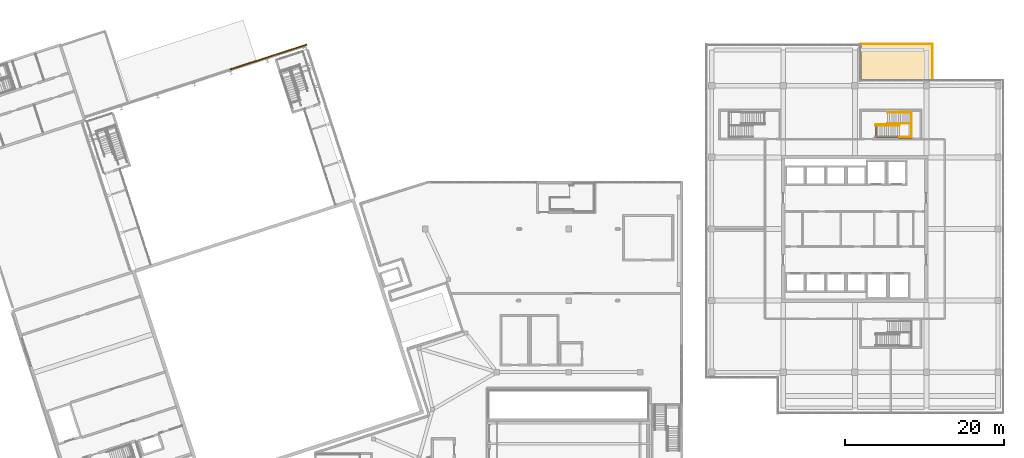
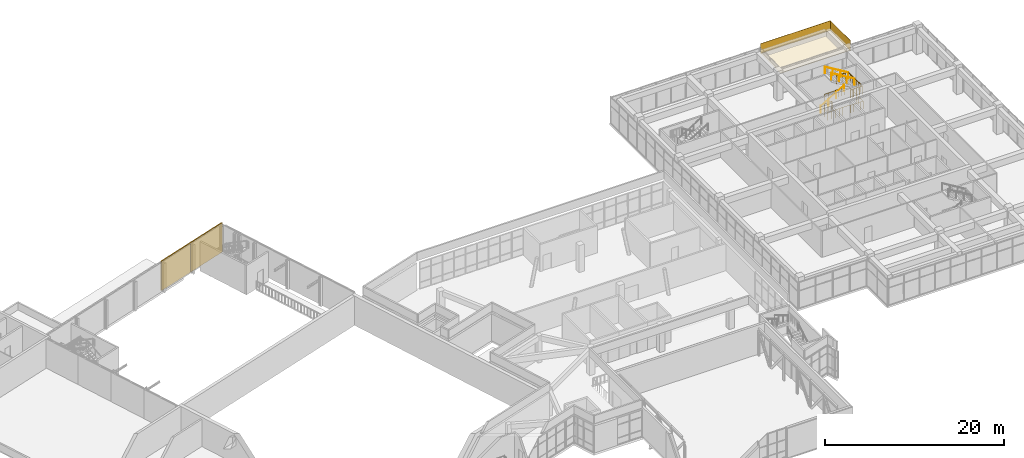
# One storey, part 72 of 72: 8 railings, 4 coverings.
"""IFC4 building model written with IfcOpenShell, lengths in metres."""

from ifc_helpers import new_model, si_unit, direction, frame, origin, origin_2d, place, context, subcontext, project, spatial, polyline, circle, outline, extrude, material, layer, layer_set, type_object, element, save


model = new_model("IFC4")

# Units and contexts
model_context = context("Model", 3, precision=1e-05, world=origin(), true_north=direction((0.0, 1.0)))
body_context = subcontext(model_context, "Body", "Model", "MODEL_VIEW")
ifc_project = project(units=[si_unit("LENGTHUNIT", "METRE"), si_unit("AREAUNIT", "SQUARE_METRE"), si_unit("VOLUMEUNIT", "CUBIC_METRE"), si_unit("PLANEANGLEUNIT", "RADIAN"), si_unit("MASSUNIT", "GRAM", prefix="KILO")], contexts=[model_context])

# Site, building, storey
site_placement = place(None, origin())
site = spatial("IfcSite", under=ifc_project, at=site_placement, CompositionType="ELEMENT")
building_placement = place(site_placement, origin())
building = spatial("IfcBuilding", under=site, at=building_placement, Name="Tuart Plaza Theatre", CompositionType="ELEMENT")
storey_placement = place(building_placement, frame((0.0, 0.0, 13.5)))
storey = spatial("IfcBuildingStorey", under=building, at=storey_placement, Name="L03", CompositionType="ELEMENT", Elevation=13.5)

# Coverings
ifc_material_1 = material(Name="Zinc")
ifc_layer_1 = layer(ifc_material_1, 0.02490234375)
ifc_layer_set_1 = layer_set([ifc_layer_1], Name="COVERING-ZINC-FASCIA25")
covering_type_1 = type_object("IfcCoveringType", Name="COVERING-ZINC-FASCIA25", PredefinedType="CLADDING", material=ifc_layer_set_1)
covering_1_placement = place(storey_placement, frame((0.0, 0.0, 2.655029296875)))
element("IfcCovering", 1, at=covering_1_placement, inside=storey, type_object=covering_type_1, Name="CL89", PredefinedType="CLADDING", context=body_context, shape_type="SweptSolid", body=[
    extrude(outline(polyline([(132.72509765625, 97.27490234375), (141.77490234375, 97.27490234375), (141.77490234375, 92.750244140625), (141.75, 92.750244140625), (141.75, 97.25), (132.750244140625, 97.25), (132.750244140625, 97.25), (132.750244140625, 97.25), (132.750244140625, 97.25), (132.75, 97.25), (132.75, 97.250244140625), (132.75, 97.250244140625), (132.75, 97.250244140625), (132.75, 97.250244140625), (132.72509765625, 97.250244140625), (132.72509765625, 97.27490234375)])), origin(), (0.0, 0.0, 1.0), 1.344970703125),
])
ifc_material_2 = material(Name="Zinc")
ifc_layer_2 = layer(ifc_material_2, 0.14990234375)
ifc_layer_set_2 = layer_set([ifc_layer_2], Name="COVERING-ZINC-RAINSCREEN150")
covering_type_2 = type_object("IfcCoveringType", Name="COVERING-ZINC-RAINSCREEN150", PredefinedType="CLADDING", material=ifc_layer_set_2)
covering_2_placement = place(storey_placement, origin())
element("IfcCovering", 2, at=covering_2_placement, inside=storey, type_object=covering_type_2, Name="CL20", PredefinedType="CLADDING", context=body_context, shape_type="SweptSolid", body=[
    extrude(outline(polyline([(53.404541015625, 94.117919921875), (57.982421875, 95.605224609375), (58.02880859375, 95.462646484375), (53.450927734375, 93.975341796875), (53.404541015625, 94.117919921875)])), origin(), (0.0, 0.0, 1.0), 4.0),
])
covering_3_placement = place(storey_placement, origin())
element("IfcCovering", 3, at=covering_3_placement, inside=storey, type_object=covering_type_2, Name="CL21", PredefinedType="CLADDING", context=body_context, shape_type="SweptSolid", body=[
    extrude(outline(polyline([(58.00146484375, 95.611572265625), (63.07861328125, 97.260986328125), (63.124755859375, 97.118408203125), (58.0478515625, 95.46875), (58.00146484375, 95.611572265625)])), origin(), (0.0, 0.0, 1.0), 4.0),
])
ifc_material_3 = material(Name="Zinc")
ifc_layer_3 = layer(ifc_material_3, 0.02490234375)
ifc_layer_set_3 = layer_set([ifc_layer_3], Name="COVERING-ZINC-SOFFIT25")
covering_type_3 = type_object("IfcCoveringType", Name="COVERING-ZINC-SOFFIT25", PredefinedType="CLADDING", material=ifc_layer_set_3)
covering_4_placement = place(storey_placement, frame((0.0, 0.0, 2.655029296875)))
element("IfcCovering", 4, at=covering_4_placement, inside=storey, type_object=covering_type_3, Name="CL88", PredefinedType="CLADDING", context=body_context, shape_type="SweptSolid", body=[
    extrude(outline(polyline([(141.75, 97.25), (141.75, 92.75), (132.75, 92.75), (132.75, 97.25), (141.75, 97.25)])), origin(), (0.0, 0.0, 1.0), 0.02490234375),
])

# Railings
ifc_material_4 = material(Name="Steel Grade C350L0", Category="steel")
railing_type_1 = type_object("IfcRailingType", Name="RAILING Guard 1100", PredefinedType="GUARDRAIL", material=ifc_material_4)
railing_1_placement = place(storey_placement, frame((134.655029296875, 87.125, 0.0)))
element("IfcRailing", 5, at=railing_1_placement, inside=storey, type_object=railing_type_1, Name="GR288", PredefinedType="GUARDRAIL", context=body_context, shape_type="SweptSolid", body=[
    extrude(circle(Radius=0.02490234375, at=origin_2d()), frame((0.0, 0.0, 1.0751953125), z_axis=(1.0, 0.0, 0.0), x_axis=(0.0, 1.0, 0.0)), (0.0, 0.0, 1.0), 1.455078125),
    extrude(circle(Radius=0.02001953125, at=origin_2d()), origin(), (0.0, 0.0, 1.0), 1.050048828125),
    extrude(circle(Radius=0.02001953125, at=origin_2d()), frame((0.485107421875, 0.0, 0.0)), (0.0, 0.0, 1.0), 1.050048828125),
    extrude(circle(Radius=0.02001953125, at=origin_2d()), frame((0.969970703125, 0.0, 0.0)), (0.0, 0.0, 1.0), 1.050048828125),
    extrude(circle(Radius=0.02001953125, at=origin_2d()), frame((1.455078125, 0.0, 0.0)), (0.0, 0.0, 1.0), 1.050048828125),
])
railing_2_placement = place(storey_placement, frame((136.114990234375, 88.705078125, 0.0)))
element("IfcRailing", 6, at=railing_2_placement, inside=storey, type_object=railing_type_1, Name="GR289", PredefinedType="GUARDRAIL", context=body_context, shape_type="SweptSolid", body=[
    extrude(circle(Radius=0.02490234375, at=origin_2d()), frame((0.0, 0.0, 1.0751953125), z_axis=(0.0, 1.0, 0.0), x_axis=(-1.0, 0.0, 0.0)), (0.0, 0.0, 1.0), 0.044921875),
    extrude(circle(Radius=0.02490234375, at=origin_2d()), frame((0.0, 0.044921875, 1.0751953125), z_axis=(1.0, 0.0, 0.0), x_axis=(0.0, 1.0, 0.0)), (0.0, 0.0, 1.0), 1.43505859375),
    extrude(circle(Radius=0.02490234375, at=origin_2d()), frame((1.43505859375, 0.044921875, 1.0751953125), z_axis=(0.0, 1.0, 0.0), x_axis=(-1.0, 0.0, 0.0)), (0.0, 0.0, 1.0), 0.074951171875),
    extrude(circle(Radius=0.02490234375, at=origin_2d()), frame((1.43505859375, 0.119873046875, 1.0751953125), z_axis=(1.0, 0.0, 0.0), x_axis=(0.0, 1.0, 0.0)), (0.0, 0.0, 1.0), 1.6298828125),
    extrude(circle(Radius=0.02490234375, at=origin_2d()), frame((3.06494140625, 0.119873046875, 1.0751953125), z_axis=(0.0, -1.0, 0.0), x_axis=(1.0, 0.0, 0.0)), (0.0, 0.0, 1.0), 3.39990234375),
    extrude(circle(Radius=0.02490234375, at=origin_2d()), frame((3.06494140625, -3.280029296875, 1.0751953125), z_axis=(-1.0, 0.0, 0.0), x_axis=(0.0, -1.0, 0.0)), (0.0, 0.0, 1.0), 1.6298828125),
    extrude(circle(Radius=0.02490234375, at=origin_2d()), frame((1.43505859375, -3.280029296875, 1.0751953125), z_axis=(0.0, 1.0, 0.0), x_axis=(-1.0, 0.0, 0.0)), (0.0, 0.0, 1.0), 0.074951171875),
    extrude(circle(Radius=0.02490234375, at=origin_2d()), frame((1.43505859375, -3.205078125, 1.0751953125), z_axis=(-1.0, 0.0, 0.0), x_axis=(0.0, -1.0, 0.0)), (0.0, 0.0, 1.0), 2.89501953125),
    extrude(circle(Radius=0.02490234375, at=origin_2d()), frame((-1.4599609375, -3.205078125, 1.0751953125), z_axis=(0.0, 1.0, 0.0), x_axis=(-1.0, 0.0, 0.0)), (0.0, 0.0, 1.0), 1.625),
    extrude(circle(Radius=0.02001953125, at=origin_2d()), origin(), (0.0, 0.0, 1.0), 1.050048828125),
    extrude(circle(Radius=0.02001953125, at=origin_2d()), frame((0.0, 0.044921875, 0.0)), (0.0, 0.0, 1.0), 1.050048828125),
    extrude(circle(Radius=0.02001953125, at=origin_2d()), frame((0.478271484375, 0.044921875, 0.0)), (0.0, 0.0, 1.0), 1.050048828125),
    extrude(circle(Radius=0.02001953125, at=origin_2d()), frame((0.956787109375, 0.044921875, 0.0)), (0.0, 0.0, 1.0), 1.050048828125),
    extrude(circle(Radius=0.02001953125, at=origin_2d()), frame((1.43505859375, 0.044921875, 0.0)), (0.0, 0.0, 1.0), 1.050048828125),
    extrude(circle(Radius=0.02001953125, at=origin_2d()), frame((1.43505859375, 0.119873046875, 0.0)), (0.0, 0.0, 1.0), 1.050048828125),
    extrude(circle(Radius=0.02001953125, at=origin_2d()), frame((1.842529296875, 0.119873046875, 0.0)), (0.0, 0.0, 1.0), 1.050048828125),
    extrude(circle(Radius=0.02001953125, at=origin_2d()), frame((2.25, 0.119873046875, 0.0)), (0.0, 0.0, 1.0), 1.050048828125),
    extrude(circle(Radius=0.02001953125, at=origin_2d()), frame((2.657470703125, 0.119873046875, 0.0)), (0.0, 0.0, 1.0), 1.050048828125),
    extrude(circle(Radius=0.02001953125, at=origin_2d()), frame((3.06494140625, 0.119873046875, 0.0)), (0.0, 0.0, 1.0), 1.050048828125),
    extrude(circle(Radius=0.02001953125, at=origin_2d()), frame((3.06494140625, -0.36572265625, 0.0)), (0.0, 0.0, 1.0), 1.050048828125),
    extrude(circle(Radius=0.02001953125, at=origin_2d()), frame((3.06494140625, -0.8515625, 0.0)), (0.0, 0.0, 1.0), 1.050048828125),
    extrude(circle(Radius=0.02001953125, at=origin_2d()), frame((3.06494140625, -1.337158203125, 0.0)), (0.0, 0.0, 1.0), 1.050048828125),
    extrude(circle(Radius=0.02001953125, at=origin_2d()), frame((3.06494140625, -1.822998046875, 0.0)), (0.0, 0.0, 1.0), 1.050048828125),
    extrude(circle(Radius=0.02001953125, at=origin_2d()), frame((3.06494140625, -2.30859375, 0.0)), (0.0, 0.0, 1.0), 1.050048828125),
    extrude(circle(Radius=0.02001953125, at=origin_2d()), frame((3.06494140625, -2.79443359375, 0.0)), (0.0, 0.0, 1.0), 1.050048828125),
    extrude(circle(Radius=0.02001953125, at=origin_2d()), frame((3.06494140625, -3.280029296875, 0.0)), (0.0, 0.0, 1.0), 1.050048828125),
    extrude(circle(Radius=0.02001953125, at=origin_2d()), frame((2.657470703125, -3.280029296875, 0.0)), (0.0, 0.0, 1.0), 1.050048828125),
    extrude(circle(Radius=0.02001953125, at=origin_2d()), frame((2.25, -3.280029296875, 0.0)), (0.0, 0.0, 1.0), 1.050048828125),
    extrude(circle(Radius=0.02001953125, at=origin_2d()), frame((1.842529296875, -3.280029296875, 0.0)), (0.0, 0.0, 1.0), 1.050048828125),
    extrude(circle(Radius=0.02001953125, at=origin_2d()), frame((1.43505859375, -3.280029296875, 0.0)), (0.0, 0.0, 1.0), 1.050048828125),
    extrude(circle(Radius=0.02001953125, at=origin_2d()), frame((1.43505859375, -3.205078125, 0.0)), (0.0, 0.0, 1.0), 1.050048828125),
    extrude(circle(Radius=0.02001953125, at=origin_2d()), frame((0.95263671875, -3.205078125, 0.0)), (0.0, 0.0, 1.0), 1.050048828125),
    extrude(circle(Radius=0.02001953125, at=origin_2d()), frame((0.469970703125, -3.205078125, 0.0)), (0.0, 0.0, 1.0), 1.050048828125),
    extrude(circle(Radius=0.02001953125, at=origin_2d()), frame((-0.012451171875, -3.205078125, 0.0)), (0.0, 0.0, 1.0), 1.050048828125),
    extrude(circle(Radius=0.02001953125, at=origin_2d()), frame((-0.494873046875, -3.205078125, 0.0)), (0.0, 0.0, 1.0), 1.050048828125),
    extrude(circle(Radius=0.02001953125, at=origin_2d()), frame((-0.9775390625, -3.205078125, 0.0)), (0.0, 0.0, 1.0), 1.050048828125),
    extrude(circle(Radius=0.02001953125, at=origin_2d()), frame((-1.4599609375, -3.205078125, 0.0)), (0.0, 0.0, 1.0), 1.050048828125),
    extrude(circle(Radius=0.02001953125, at=origin_2d()), frame((-1.4599609375, -2.798828125, 0.0)), (0.0, 0.0, 1.0), 1.050048828125),
    extrude(circle(Radius=0.02001953125, at=origin_2d()), frame((-1.4599609375, -2.392578125, 0.0)), (0.0, 0.0, 1.0), 1.050048828125),
    extrude(circle(Radius=0.02001953125, at=origin_2d()), frame((-1.4599609375, -1.986328125, 0.0)), (0.0, 0.0, 1.0), 1.050048828125),
    extrude(circle(Radius=0.02001953125, at=origin_2d()), frame((-1.4599609375, -1.580078125, 0.0)), (0.0, 0.0, 1.0), 1.050048828125),
])
railing_3_placement = place(storey_placement, frame((137.60009765625, 85.550048828125, 2.0)))
element("IfcRailing", 7, at=railing_3_placement, inside=storey, type_object=railing_type_1, Name="GR295", PredefinedType="GUARDRAIL", context=body_context, shape_type="SweptSolid", body=[
    extrude(circle(Radius=0.02490234375, at=origin_2d()), frame((0.0, 0.0, 1.0751953125), z_axis=(1.0, 0.0, 0.0), x_axis=(0.0, 1.0, 0.0)), (0.0, 0.0, 1.0), 1.52978515625),
    extrude(circle(Radius=0.02001953125, at=origin_2d()), origin(), (0.0, 0.0, 1.0), 1.050048828125),
    extrude(circle(Radius=0.02001953125, at=origin_2d()), frame((0.38232421875, 0.0, 0.0)), (0.0, 0.0, 1.0), 1.050048828125),
    extrude(circle(Radius=0.02001953125, at=origin_2d()), frame((0.764892578125, 0.0, 0.0)), (0.0, 0.0, 1.0), 1.050048828125),
    extrude(circle(Radius=0.02001953125, at=origin_2d()), frame((1.1474609375, 0.0, 0.0)), (0.0, 0.0, 1.0), 1.050048828125),
    extrude(circle(Radius=0.02001953125, at=origin_2d()), frame((1.52978515625, 0.0, 0.0)), (0.0, 0.0, 1.0), 1.050048828125),
])
railing_4_placement = place(storey_placement, frame((139.1298828125, 85.550048828125, 2.0)))
element("IfcRailing", 8, at=railing_4_placement, inside=storey, type_object=railing_type_1, Name="GR296", PredefinedType="GUARDRAIL", context=body_context, shape_type="SweptSolid", body=[
    extrude(circle(Radius=0.02490234375, at=origin_2d()), frame((0.0, 0.0, 1.0751953125), z_axis=(0.0, 1.0, 0.0), x_axis=(-1.0, 0.0, 0.0)), (0.0, 0.0, 1.0), 3.14990234375),
    extrude(circle(Radius=0.02001953125, at=origin_2d()), origin(), (0.0, 0.0, 1.0), 1.050048828125),
    extrude(circle(Radius=0.02001953125, at=origin_2d()), frame((0.0, 0.449951171875, 0.0)), (0.0, 0.0, 1.0), 1.050048828125),
    extrude(circle(Radius=0.02001953125, at=origin_2d()), frame((0.0, 0.89990234375, 0.0)), (0.0, 0.0, 1.0), 1.050048828125),
    extrude(circle(Radius=0.02001953125, at=origin_2d()), frame((0.0, 1.349853515625, 0.0)), (0.0, 0.0, 1.0), 1.050048828125),
    extrude(circle(Radius=0.02001953125, at=origin_2d()), frame((0.0, 1.800048828125, 0.0)), (0.0, 0.0, 1.0), 1.050048828125),
    extrude(circle(Radius=0.02001953125, at=origin_2d()), frame((0.0, 2.25, 0.0)), (0.0, 0.0, 1.0), 1.050048828125),
    extrude(circle(Radius=0.02001953125, at=origin_2d()), frame((0.0, 2.699951171875, 0.0)), (0.0, 0.0, 1.0), 1.050048828125),
    extrude(circle(Radius=0.02001953125, at=origin_2d()), frame((0.0, 3.14990234375, 0.0)), (0.0, 0.0, 1.0), 1.050048828125),
])
railing_5_placement = place(storey_placement, frame((139.1298828125, 88.699951171875, 2.0)))
element("IfcRailing", 9, at=railing_5_placement, inside=storey, type_object=railing_type_1, Name="GR297", PredefinedType="GUARDRAIL", context=body_context, shape_type="SweptSolid", body=[
    extrude(circle(Radius=0.02490234375, at=origin_2d()), frame((0.0, 0.0, 1.0751953125), z_axis=(-1.0, 0.0, 0.0), x_axis=(0.0, -1.0, 0.0)), (0.0, 0.0, 1.0), 1.52978515625),
    extrude(circle(Radius=0.02001953125, at=origin_2d()), origin(), (0.0, 0.0, 1.0), 1.050048828125),
    extrude(circle(Radius=0.02001953125, at=origin_2d()), frame((-0.38232421875, 0.0, 0.0)), (0.0, 0.0, 1.0), 1.050048828125),
    extrude(circle(Radius=0.02001953125, at=origin_2d()), frame((-0.764892578125, 0.0, 0.0)), (0.0, 0.0, 1.0), 1.050048828125),
    extrude(circle(Radius=0.02001953125, at=origin_2d()), frame((-1.1474609375, 0.0, 0.0)), (0.0, 0.0, 1.0), 1.050048828125),
    extrude(circle(Radius=0.02001953125, at=origin_2d()), frame((-1.52978515625, 0.0, 0.0)), (0.0, 0.0, 1.0), 1.050048828125),
])
ifc_material_5 = material(Name="Steel Grade C350L0", Category="steel")
railing_type_2 = type_object("IfcRailingType", Name="RAILING Handrail 900", PredefinedType="HANDRAIL", material=ifc_material_5)
railing_6_placement = place(storey_placement, frame((134.594970703125, 87.0, 0.166748046875)))
element("IfcRailing", 10, at=railing_6_placement, inside=storey, type_object=railing_type_2, Name="HR191", PredefinedType="HANDRAIL", context=body_context, shape_type="SweptSolid", body=[
    extrude(circle(Radius=0.0224609375, at=origin_2d()), frame((0.0, 0.0, 0.87744140625), z_axis=(0.855219153138, 0.0, 0.518266533848), x_axis=(0.0, 1.0, 0.0)), (0.0, 0.0, 1.0), 3.537353515625),
    extrude(circle(Radius=0.01513671875, at=origin_2d()), origin(), (0.0, 0.0, 1.0), 0.85498046875),
    extrude(circle(Radius=0.01513671875, at=origin_2d()), frame((1.00830078125, 0.0, 0.611083984375)), (0.0, 0.0, 1.0), 0.85498046875),
    extrude(circle(Radius=0.01513671875, at=origin_2d()), frame((2.016845703125, 0.0, 1.22216796875)), (0.0, 0.0, 1.0), 0.85498046875),
    extrude(circle(Radius=0.01513671875, at=origin_2d()), frame((3.025146484375, 0.0, 1.833251953125)), (0.0, 0.0, 1.0), 0.85498046875),
])
for number, where, name in (
    (11, (139.1201171875, 87.25, 2.166748046875), "HR193"),
    (12, (139.1201171875, 88.64990234375, 2.166748046875), "HR194"),
):
    element("IfcRailing", number, at=place(storey_placement, frame(where)), inside=storey, type_object=railing_type_2, Name=name, PredefinedType="HANDRAIL", context=body_context, shape_type="SweptSolid", body=[
        extrude(circle(Radius=0.0224609375, at=origin_2d()), frame((0.0, 0.0, 0.87744140625), z_axis=(-0.855219153138, 0.0, 0.518266533848), x_axis=(0.0, -1.0, 0.0)), (0.0, 0.0, 1.0), 3.537353515625),
        extrude(circle(Radius=0.01513671875, at=origin_2d()), origin(), (0.0, 0.0, 1.0), 0.85498046875),
        extrude(circle(Radius=0.01513671875, at=origin_2d()), frame((-1.00830078125, 0.0, 0.611083984375)), (0.0, 0.0, 1.0), 0.85498046875),
        extrude(circle(Radius=0.01513671875, at=origin_2d()), frame((-2.016845703125, 0.0, 1.22216796875)), (0.0, 0.0, 1.0), 0.85498046875),
        extrude(circle(Radius=0.01513671875, at=origin_2d()), frame((-3.025146484375, 0.0, 1.833251953125)), (0.0, 0.0, 1.0), 0.85498046875),
    ])

save(model, "model.ifc")
